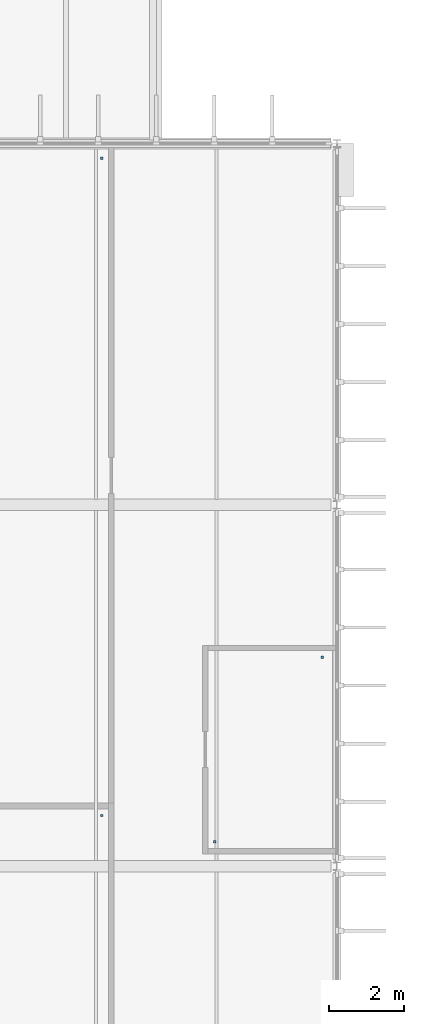
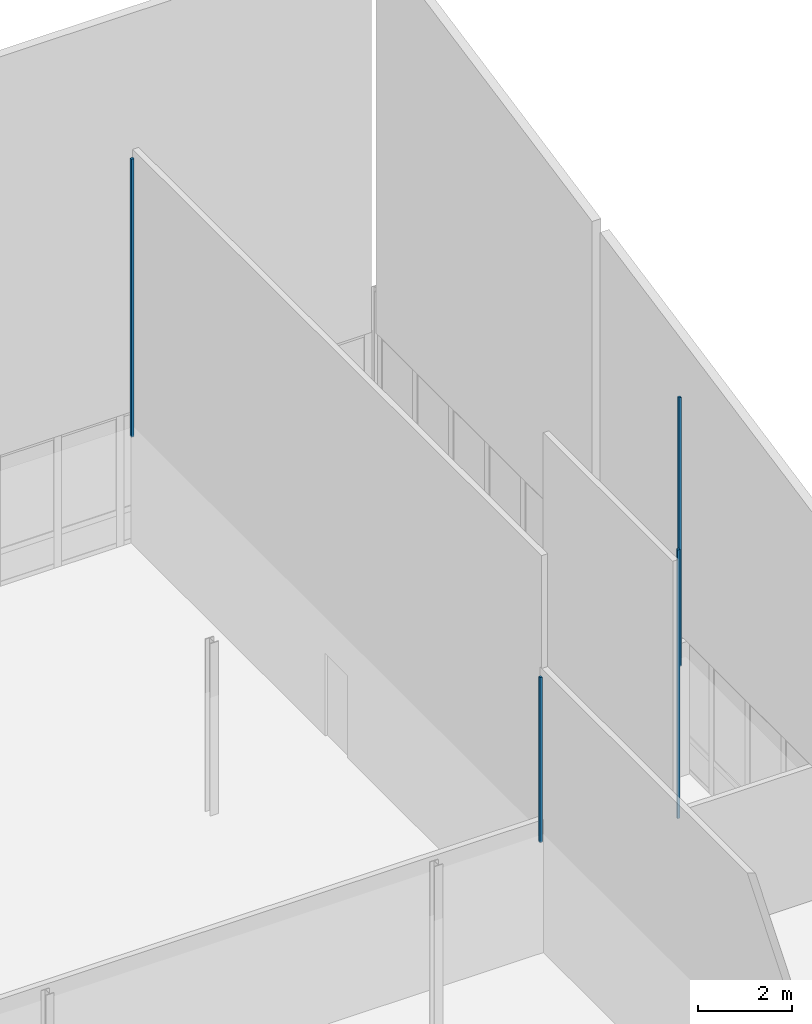
# One storey, part 77 of 93: 4 discrete accessories.
"""IFC4 building model written with IfcOpenShell, lengths in metres."""

from ifc_helpers import new_model, si_unit, direction, frame, origin, place, context, subcontext, project, spatial, polyline, outline, extrude, material, type_object, element, save


model = new_model("IFC4")

# Units and contexts
model_context = context("Model", 3, precision=1e-05, world=origin(), true_north=direction((0.0, 1.0)))
body_context = subcontext(model_context, "Body", "Model", "MODEL_VIEW")
ifc_project = project(units=[si_unit("LENGTHUNIT", "METRE"), si_unit("AREAUNIT", "SQUARE_METRE"), si_unit("VOLUMEUNIT", "CUBIC_METRE"), si_unit("PLANEANGLEUNIT", "RADIAN"), si_unit("MASSUNIT", "GRAM", prefix="KILO")], contexts=[model_context])

# Site, building, storey
site_placement = place(None, origin())
site = spatial("IfcSite", under=ifc_project, at=site_placement, CompositionType="ELEMENT")
building_placement = place(site_placement, origin())
building = spatial("IfcBuilding", under=site, at=building_placement, Name="Dunescarp Central Library", CompositionType="ELEMENT")
storey_placement = place(building_placement, frame((0.0, 0.0, 14.10009765625)))
storey = spatial("IfcBuildingStorey", under=building, at=storey_placement, Name="L03", CompositionType="ELEMENT", Elevation=14.10009765625)

# Discrete accessories
ifc_material = material(Name="Stainless steel Grade 316L", Category="steel")
discrete_accessory_type = type_object("IfcDiscreteAccessoryType", Name="ARC-ACC-BRK", PredefinedType="BRACKET", material=ifc_material)
discrete_accessory_1_placement = place(storey_placement, frame((0.0, 0.0, 3.059814453125)))
element("IfcDiscreteAccessory", 1, at=discrete_accessory_1_placement, inside=storey, type_object=discrete_accessory_type, Name="L03 ceiling hanger CLG-L03-134-H1", PredefinedType="BRACKET", context=body_context, shape_type="SweptSolid", body=[
    extrude(outline(polyline([(25.52001953125, 71.02001953125), (25.580078125, 71.02001953125), (25.580078125, 71.080078125), (25.52001953125, 71.080078125), (25.52001953125, 71.02001953125)])), origin(), (0.0, 0.0, 1.0), 7.01611328125),
])
discrete_accessory_2_placement = place(storey_placement, frame((0.0, 0.0, 3.059814453125)))
element("IfcDiscreteAccessory", 2, at=discrete_accessory_2_placement, inside=storey, type_object=discrete_accessory_type, Name="L03 ceiling hanger CLG-L03-134-H2", PredefinedType="BRACKET", context=body_context, shape_type="SweptSolid", body=[
    extrude(outline(polyline([(28.3798828125, 75.919921875), (28.43994140625, 75.919921875), (28.43994140625, 75.97998046875), (28.3798828125, 75.97998046875), (28.3798828125, 75.919921875)])), origin(), (0.0, 0.0, 1.0), 7.01611328125),
])
discrete_accessory_3_placement = place(storey_placement, frame((0.0, 0.0, 3.059814453125)))
element("IfcDiscreteAccessory", 3, at=discrete_accessory_3_placement, inside=storey, type_object=discrete_accessory_type, Name="L03 ceiling hanger CLG-L03-136-H2", PredefinedType="BRACKET", context=body_context, shape_type="SweptSolid", body=[
    extrude(outline(polyline([(22.52001953125, 71.719970703125), (22.580078125, 71.719970703125), (22.580078125, 71.780029296875), (22.52001953125, 71.780029296875), (22.52001953125, 71.719970703125)])), origin(), (0.0, 0.0, 1.0), 4.30810546875),
])
discrete_accessory_4_placement = place(storey_placement, frame((0.0, 0.0, 3.059814453125)))
element("IfcDiscreteAccessory", 4, at=discrete_accessory_4_placement, inside=storey, type_object=discrete_accessory_type, Name="L03 ceiling hanger CLG-L03-137-H2", PredefinedType="BRACKET", context=body_context, shape_type="SweptSolid", body=[
    extrude(outline(polyline([(22.52001953125, 89.179931640625), (22.580078125, 89.179931640625), (22.580078125, 89.239990234375), (22.52001953125, 89.239990234375), (22.52001953125, 89.179931640625)])), origin(), (0.0, 0.0, 1.0), 7.256103515625),
])

save(model, "model.ifc")
